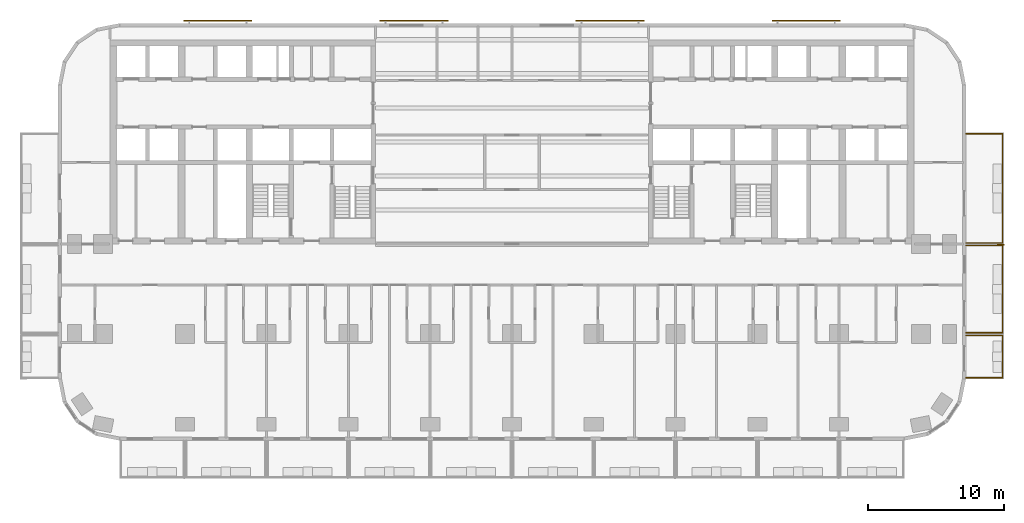
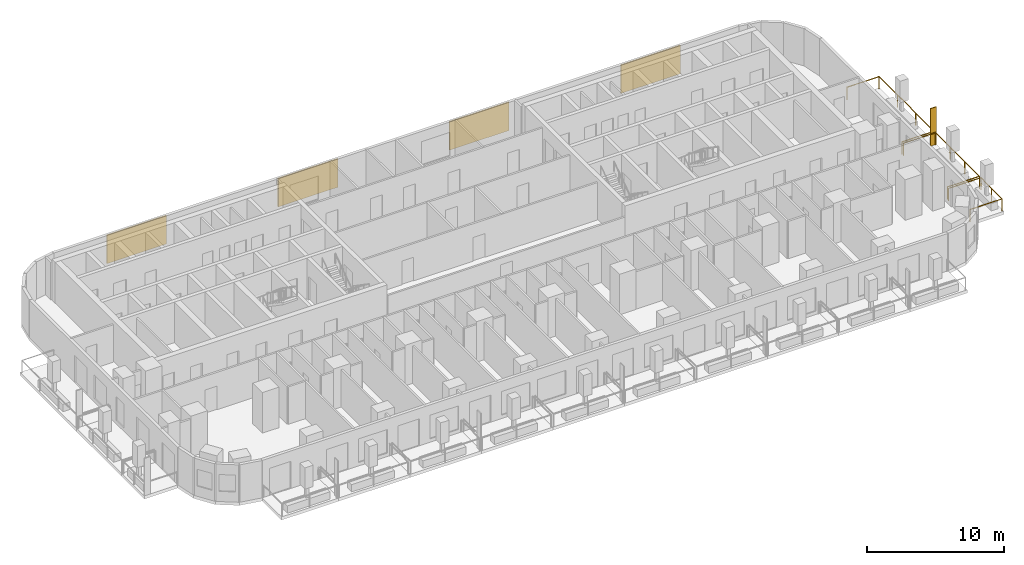
# One storey, part 13 of 14: 5 shading devices, 3 railings.
"""IFC4 building model written with IfcOpenShell, lengths in metres."""

import ifcopenshell
import ifcopenshell.guid

model = None  # the IFC model being written
_history = None  # IfcOwnerHistory: only IFC2X3 demands one
_inside = {}  # id of a spatial element -> (the spatial element, [elements in it])
_under = {}  # id of a project, library or spatial element -> (it, [spatial elements below it])
_declared = {}  # id of a project -> (the project, [libraries it declares])
_typed = {}  # id of a type object -> (the type object, [elements of that type])
_made_of = {}  # id of a material, layer set ... -> (it, [elements and type objects made of it])


def new_model(schema):
    """Start an empty IFC model of exactly this schema.

    Asked for "IFC4X3", IfcOpenShell would pick the latest addendum, in which some entities
    have other attributes; the version numbers below select the first issue.
    IFC2X3 requires an IfcOwnerHistory on every rooted entity: one is made here for all.
    """
    global model, _history
    if schema == "IFC4X3":
        model = ifcopenshell.file(schema_version=(4, 3, 0, 0))
    else:
        model = ifcopenshell.file(schema=schema)
    _inside.clear()
    _under.clear()
    _declared.clear()
    _typed.clear()
    _made_of.clear()
    _history = None
    if model.schema == "IFC2X3":
        org = make("IfcOrganization", Name="unknown")
        user = make(
            "IfcPersonAndOrganization",
            ThePerson=make("IfcPerson", FamilyName="unknown"),
            TheOrganization=org,
        )
        app = make(
            "IfcApplication",
            ApplicationDeveloper=org,
            Version="unknown",
            ApplicationFullName="unknown",
            ApplicationIdentifier="unknown",
        )
        _history = make(
            "IfcOwnerHistory",
            OwningUser=user,
            OwningApplication=app,
            ChangeAction="ADDED",
            CreationDate=0,
        )
    return model


def make(cls, **values):
    """One entity of the class cls with the attributes given. An attribute that is None is left unset."""
    return model.create_entity(
        cls, **{name: value for name, value in values.items() if value is not None}
    )


def rooted(cls, **values):
    """An entity with a GlobalId (a new one), such as an element, a storey or a relation."""
    return make(cls, GlobalId=ifcopenshell.guid.new(), OwnerHistory=_history, **values)


def si_unit(unit_type, name, prefix=None):
    """IfcSIUnit, for example si_unit("LENGTHUNIT", "METRE", prefix="MILLI")."""
    return make("IfcSIUnit", UnitType=unit_type, Prefix=prefix, Name=name)


def assignment(units):
    """IfcUnitAssignment: the units of a project."""
    return None if units is None else make("IfcUnitAssignment", Units=units)


def point(xyz):
    """IfcCartesianPoint."""
    return None if xyz is None else make("IfcCartesianPoint", Coordinates=xyz)


def direction(xyz):
    """IfcDirection."""
    return None if xyz is None else make("IfcDirection", DirectionRatios=xyz)


def frame(location, z_axis=None, x_axis=None):
    """IfcAxis2Placement3D, a coordinate frame: its origin and axes. An axis left out is left unset."""
    return make(
        "IfcAxis2Placement3D",
        Location=point(location),
        Axis=direction(z_axis),
        RefDirection=direction(x_axis),
    )


def frame_2d(location, x_axis=None):
    """IfcAxis2Placement2D, a coordinate frame in the plane: its origin and x axis."""
    return make(
        "IfcAxis2Placement2D", Location=point(location), RefDirection=direction(x_axis)
    )


def origin():
    """The frame at (0, 0, 0) with its axes left unset."""
    return frame((0.0, 0.0, 0.0))


def origin_2d():
    """The frame at (0, 0) in the plane with its x axis left unset."""
    return frame_2d((0.0, 0.0))


def place(relative_to, where):
    """IfcLocalPlacement: puts the frame where relative to a parent placement (None: the world)."""
    return make(
        "IfcLocalPlacement", PlacementRelTo=relative_to, RelativePlacement=where
    )


def context(
    kind, dimensions, precision=None, world=None, true_north=None, identifier=None
):
    """IfcGeometricRepresentationContext, for example the 3D "Model" context."""
    return make(
        "IfcGeometricRepresentationContext",
        ContextIdentifier=identifier,
        ContextType=kind,
        CoordinateSpaceDimension=dimensions,
        Precision=precision,
        WorldCoordinateSystem=world,
        TrueNorth=true_north,
    )


def subcontext(parent, identifier, kind, view, scale=None):
    """IfcGeometricRepresentationSubContext, for example "Body" below "Model"."""
    return make(
        "IfcGeometricRepresentationSubContext",
        ContextIdentifier=identifier,
        ContextType=kind,
        ParentContext=parent,
        TargetScale=scale,
        TargetView=view,
    )


def project(units=None, contexts=None):
    """IfcProject with its units and contexts."""
    return rooted(
        "IfcProject",
        Name="project",
        RepresentationContexts=contexts,
        UnitsInContext=assignment(units),
    )


def spatial(cls, under=None, at=None, **own):
    """A site, building, storey or space (cls), placed at a placement, below another one or the project."""
    s = rooted(cls, ObjectPlacement=at, **own)
    if under is not None:
        _under.setdefault(under.id(), (under, []))[1].append(s)
    return s


def profile(cls, at=None, kind="AREA", **sizes):
    """A parametric profile (cls). Its sizes go by their IFC names, for example OverallWidth=200.0."""
    return make(cls, ProfileType=kind, Position=at, **sizes)


def rectangle(**sizes):
    """IfcRectangleProfileDef."""
    return profile("IfcRectangleProfileDef", **sizes)


def circle(**sizes):
    """IfcCircleProfileDef."""
    return profile("IfcCircleProfileDef", **sizes)


def extrude(swept, where, along, depth):
    """IfcExtrudedAreaSolid: the profile swept, set in the frame where, extruded along a direction by depth."""
    return make(
        "IfcExtrudedAreaSolid",
        SweptArea=swept,
        Position=where,
        ExtrudedDirection=direction(along),
        Depth=depth,
    )


def shape(context_of_items, identifier, shape_type, items):
    """IfcShapeRepresentation: the items that make up one representation, for example the "Body"."""
    return make(
        "IfcShapeRepresentation",
        ContextOfItems=context_of_items,
        RepresentationIdentifier=identifier,
        RepresentationType=shape_type,
        Items=items,
    )


def material(Name=None, Category=None):
    """IfcMaterial."""
    return make("IfcMaterial", Name=Name, Category=Category)


def layer(
    of_material, thickness, ventilated=None, Name=None, Category=None, Priority=None
):
    """IfcMaterialLayer: one layer of a wall or slab, of a material (None: an air gap)."""
    return make(
        "IfcMaterialLayer",
        Material=of_material,
        LayerThickness=thickness,
        IsVentilated=ventilated,
        Name=Name,
        Category=Category,
        Priority=Priority,
    )


def layer_set(layers, Name=None):
    """IfcMaterialLayerSet."""
    return make("IfcMaterialLayerSet", MaterialLayers=layers, LayerSetName=Name)


def made_of(thing, what):
    """Note that an element or type object is made of a material, layer set ...; save() writes the relation."""
    if what is not None:
        _made_of.setdefault(what.id(), (what, []))[1].append(thing)
    return thing


def type_object(cls, material=None, **own):
    """A type object (cls), such as IfcWallType, which elements share."""
    return made_of(rooted(cls, **own), material)


def element(
    cls,
    number,
    at=None,
    inside=None,
    cuts=None,
    type_object=None,
    material=None,
    context=None,
    identifier="Body",
    shape_type=None,
    held_by="IfcProductDefinitionShape",
    body=None,
    shapes=None,
    **own,
):
    """One element of the class cls, such as IfcWall. Its Tag is "e" and its number.

    at: its placement. inside: the storey or other place that contains it. cuts: it is an
    opening in that element (IfcRelVoidsElement). A single representation is given by context,
    identifier, shape_type and body (its items); several are given by shapes. held_by: the class
    of the entity that holds the representations. save() writes the other relations.
    """
    e = rooted(cls, Tag="e%d" % number, ObjectPlacement=at, **own)
    if body is not None:
        shapes = [shape(context, identifier, shape_type, body)]
    if shapes is not None:
        e.Representation = make(held_by, Representations=shapes)
    if inside is not None:
        _inside.setdefault(inside.id(), (inside, []))[1].append(e)
    if cuts is not None:
        rooted(
            "IfcRelVoidsElement", RelatingBuildingElement=cuts, RelatedOpeningElement=e
        )
    if type_object is not None:
        _typed.setdefault(type_object.id(), (type_object, []))[1].append(e)
    return made_of(e, material)


def aggregate(whole, parts):
    """IfcRelAggregates: a whole, such as a stair, and the parts it consists of."""
    return rooted("IfcRelAggregates", RelatingObject=whole, RelatedObjects=parts)


def save(model, path):
    """Write the relations noted so far, then the file.

    IfcRelAggregates (storeys below a building ...), IfcRelContainedInSpatialStructure (elements
    in a storey), IfcRelDefinesByType, IfcRelAssociatesMaterial and IfcRelDeclares: one each for
    every whole, place, type object, material and project.
    """
    for whole, parts in _under.values():
        aggregate(whole, parts)
    for where, things in _inside.values():
        rooted(
            "IfcRelContainedInSpatialStructure",
            RelatedElements=things,
            RelatingStructure=where,
        )
    for kind, things in _typed.values():
        rooted("IfcRelDefinesByType", RelatedObjects=things, RelatingType=kind)
    for what, things in _made_of.values():
        rooted("IfcRelAssociatesMaterial", RelatedObjects=things, RelatingMaterial=what)
    for by, libraries in _declared.values():
        rooted("IfcRelDeclares", RelatingContext=by, RelatedDefinitions=libraries)
    model.write(path)


model = new_model("IFC4")

# Units and contexts
model_context = context("Model", 3, precision=1e-05, world=origin(), true_north=direction((0.0, 1.0)))
body_context = subcontext(model_context, "Body", "Model", "MODEL_VIEW")
ifc_project = project(units=[si_unit("LENGTHUNIT", "METRE"), si_unit("AREAUNIT", "SQUARE_METRE"), si_unit("VOLUMEUNIT", "CUBIC_METRE"), si_unit("PLANEANGLEUNIT", "RADIAN"), si_unit("MASSUNIT", "GRAM", prefix="KILO")], contexts=[model_context])

# Site, building, storey
site_placement = place(None, origin())
site = spatial("IfcSite", under=ifc_project, at=site_placement, CompositionType="ELEMENT")
building_placement = place(site_placement, origin())
building = spatial("IfcBuilding", under=site, at=building_placement, Name="Torana Hotel and Residences", CompositionType="ELEMENT")
storey_placement = place(building_placement, frame((0.0, 0.0, 34.800048828125)))
storey = spatial("IfcBuildingStorey", under=building, at=storey_placement, Name="L07", CompositionType="ELEMENT", Elevation=34.800048828125)

# Shading device
ifc_material_1 = material(Name="Black powder coated aluminium", Category="aluminium")
ifc_layer_1 = layer(ifc_material_1, 0.080078125)
ifc_layer_set_1 = layer_set([ifc_layer_1], Name="FN1 VERTICAL FIN 500x80")
shading_device_type_1 = type_object("IfcShadingDeviceType", Name="FN1 VERTICAL FIN 500x80", PredefinedType="USERDEFINED", material=ifc_layer_set_1)
shading_device_placement = place(storey_placement, frame((35.85009765625, -15.0400390625, 0.0), z_axis=(0.0, 0.0, 1.0), x_axis=(0.0, -1.0, 0.0)))
element("IfcShadingDevice", 1, at=shading_device_placement, inside=storey, type_object=shading_device_type_1, Name="Fin 15", ObjectType="FIN", PredefinedType="USERDEFINED", context=body_context, shape_type="SweptSolid", body=[
    extrude(rectangle(XDim=0.080078125, YDim=0.5, at=origin_2d()), origin(), (0.0, 0.0, 1.0), 3.320068359375),
])

# Railings
ifc_material_2 = material(Name="Laminated glass balustrade with black handrail", Category="glass")
railing_type = type_object("IfcRailingType", Name="GR1 BALCONY GUARD 1100 GLASS", PredefinedType="GUARDRAIL", material=ifc_material_2)
railing_1_placement = place(storey_placement, frame((33.300048828125, -21.699951171875, 0.0)))
element("IfcRailing", 2, at=railing_1_placement, inside=storey, type_object=railing_type, Name="Balcony guard 14", PredefinedType="GUARDRAIL", context=body_context, shape_type="SweptSolid", body=[
    extrude(circle(Radius=0.02392578125, at=origin_2d()), frame((0.0, 0.0, 1.076171875), z_axis=(1.0, 0.0, 0.0), x_axis=(0.0, 1.0, 0.0)), (0.0, 0.0, 1.0), 2.699951171875),
    extrude(circle(Radius=0.02392578125, at=origin_2d()), frame((2.699951171875, 0.0, 1.076171875), z_axis=(0.0, -1.0, 0.0), x_axis=(1.0, 0.0, 0.0)), (0.0, 0.0, 1.0), 3.10009765625),
    extrude(circle(Radius=0.02392578125, at=origin_2d()), frame((2.699951171875, -3.10009765625, 1.076171875), z_axis=(-1.0, 0.0, 0.0), x_axis=(0.0, -1.0, 0.0)), (0.0, 0.0, 1.0), 2.699951171875),
    extrude(circle(Radius=0.02099609375, at=origin_2d()), origin(), (0.0, 0.0, 1.0), 1.052001953125),
    extrude(circle(Radius=0.02099609375, at=origin_2d()), frame((2.699951171875, 0.0, 0.0)), (0.0, 0.0, 1.0), 1.052001953125),
    extrude(circle(Radius=0.02099609375, at=origin_2d()), frame((2.699951171875, -1.550048828125, 0.0)), (0.0, 0.0, 1.0), 1.052001953125),
    extrude(circle(Radius=0.02099609375, at=origin_2d()), frame((2.699951171875, -3.10009765625, 0.0)), (0.0, 0.0, 1.0), 1.052001953125),
    extrude(circle(Radius=0.02099609375, at=origin_2d()), frame((0.0, -3.10009765625, 0.0)), (0.0, 0.0, 1.0), 1.052001953125),
])
railing_2_placement = place(storey_placement, frame((33.300048828125, -15.10009765625, 0.0)))
element("IfcRailing", 3, at=railing_2_placement, inside=storey, type_object=railing_type, Name="Balcony guard 15", PredefinedType="GUARDRAIL", context=body_context, shape_type="SweptSolid", body=[
    extrude(circle(Radius=0.02392578125, at=origin_2d()), frame((0.0, 0.0, 1.076171875), z_axis=(1.0, 0.0, 0.0), x_axis=(0.0, 1.0, 0.0)), (0.0, 0.0, 1.0), 2.699951171875),
    extrude(circle(Radius=0.02392578125, at=origin_2d()), frame((2.699951171875, 0.0, 1.076171875), z_axis=(0.0, -1.0, 0.0), x_axis=(1.0, 0.0, 0.0)), (0.0, 0.0, 1.0), 6.39990234375),
    extrude(circle(Radius=0.02392578125, at=origin_2d()), frame((2.699951171875, -6.39990234375, 1.076171875), z_axis=(-1.0, 0.0, 0.0), x_axis=(0.0, -1.0, 0.0)), (0.0, 0.0, 1.0), 2.699951171875),
    extrude(circle(Radius=0.02099609375, at=origin_2d()), origin(), (0.0, 0.0, 1.0), 1.052001953125),
    extrude(circle(Radius=0.02099609375, at=origin_2d()), frame((2.699951171875, 0.0, 0.0)), (0.0, 0.0, 1.0), 1.052001953125),
    extrude(circle(Radius=0.02099609375, at=origin_2d()), frame((2.699951171875, -2.13330078125, 0.0)), (0.0, 0.0, 1.0), 1.052001953125),
    extrude(circle(Radius=0.02099609375, at=origin_2d()), frame((2.699951171875, -4.2666015625, 0.0)), (0.0, 0.0, 1.0), 1.052001953125),
    extrude(circle(Radius=0.02099609375, at=origin_2d()), frame((2.699951171875, -6.39990234375, 0.0)), (0.0, 0.0, 1.0), 1.052001953125),
    extrude(circle(Radius=0.02099609375, at=origin_2d()), frame((0.0, -6.39990234375, 0.0)), (0.0, 0.0, 1.0), 1.052001953125),
])
railing_3_placement = place(storey_placement, frame((33.300048828125, -6.89990234375, 0.0)))
element("IfcRailing", 4, at=railing_3_placement, inside=storey, type_object=railing_type, Name="Balcony guard 16", PredefinedType="GUARDRAIL", context=body_context, shape_type="SweptSolid", body=[
    extrude(circle(Radius=0.02392578125, at=origin_2d()), frame((0.0, 0.0, 1.076171875), z_axis=(1.0, 0.0, 0.0), x_axis=(0.0, 1.0, 0.0)), (0.0, 0.0, 1.0), 2.699951171875),
    extrude(circle(Radius=0.02392578125, at=origin_2d()), frame((2.699951171875, 0.0, 1.076171875), z_axis=(0.0, -1.0, 0.0), x_axis=(1.0, 0.0, 0.0)), (0.0, 0.0, 1.0), 8.0),
    extrude(circle(Radius=0.02392578125, at=origin_2d()), frame((2.699951171875, -8.0, 1.076171875), z_axis=(-1.0, 0.0, 0.0), x_axis=(0.0, -1.0, 0.0)), (0.0, 0.0, 1.0), 2.699951171875),
    extrude(circle(Radius=0.02099609375, at=origin_2d()), origin(), (0.0, 0.0, 1.0), 1.052001953125),
    extrude(circle(Radius=0.02099609375, at=origin_2d()), frame((2.699951171875, 0.0, 0.0)), (0.0, 0.0, 1.0), 1.052001953125),
    extrude(circle(Radius=0.02099609375, at=origin_2d()), frame((2.699951171875, -2.666748046875, 0.0)), (0.0, 0.0, 1.0), 1.052001953125),
    extrude(circle(Radius=0.02099609375, at=origin_2d()), frame((2.699951171875, -5.333251953125, 0.0)), (0.0, 0.0, 1.0), 1.052001953125),
    extrude(circle(Radius=0.02099609375, at=origin_2d()), frame((2.699951171875, -8.0, 0.0)), (0.0, 0.0, 1.0), 1.052001953125),
    extrude(circle(Radius=0.02099609375, at=origin_2d()), frame((0.0, -8.0, 0.0)), (0.0, 0.0, 1.0), 1.052001953125),
])

# Shading devices
ifc_material_3 = material(Name="Concrete C40/50 precast", Category="concrete")
ifc_layer_2 = layer(ifc_material_3, 0.10009765625)
ifc_layer_set_2 = layer_set([ifc_layer_2], Name="SC1 PERFORATED BLOCK SCREEN PANEL 100")
shading_device_type_2 = type_object("IfcShadingDeviceType", Name="SC1 PERFORATED BLOCK SCREEN PANEL 100", PredefinedType="USERDEFINED", material=ifc_layer_set_2)
for number, where, z_axis, x_axis, name in (
    (5, (21.58154296875, 1.39990234375, 0.5), (0.0, 0.0, 1.0), (-1.0, 0.0, 0.0), "Perforated block screen L07"),
    (6, (7.19384765625, 1.39990234375, 0.5), (0.0, 0.0, 1.0), (-1.0, 0.0, 0.0), "Perforated block screen L07"),
    (7, (-7.19384765625, 1.39990234375, 0.5), (0.0, 0.0, 1.0), (-1.0, 0.0, 0.0), "Perforated block screen L07"),
    (8, (-21.58154296875, 1.39990234375, 0.5), (0.0, 0.0, 1.0), (-1.0, 0.0, 0.0), "Perforated block screen L07"),
):
    element("IfcShadingDevice", number, at=place(storey_placement, frame(where, z_axis=z_axis, x_axis=x_axis)), inside=storey, type_object=shading_device_type_2, Name=name, ObjectType="SCREEN", PredefinedType="USERDEFINED", context=body_context, shape_type="SweptSolid", body=[
        extrude(rectangle(XDim=5.0, YDim=0.10009765625, at=origin_2d()), origin(), (0.0, 0.0, 1.0), 2.52001953125),
    ])

save(model, "model.ifc")
